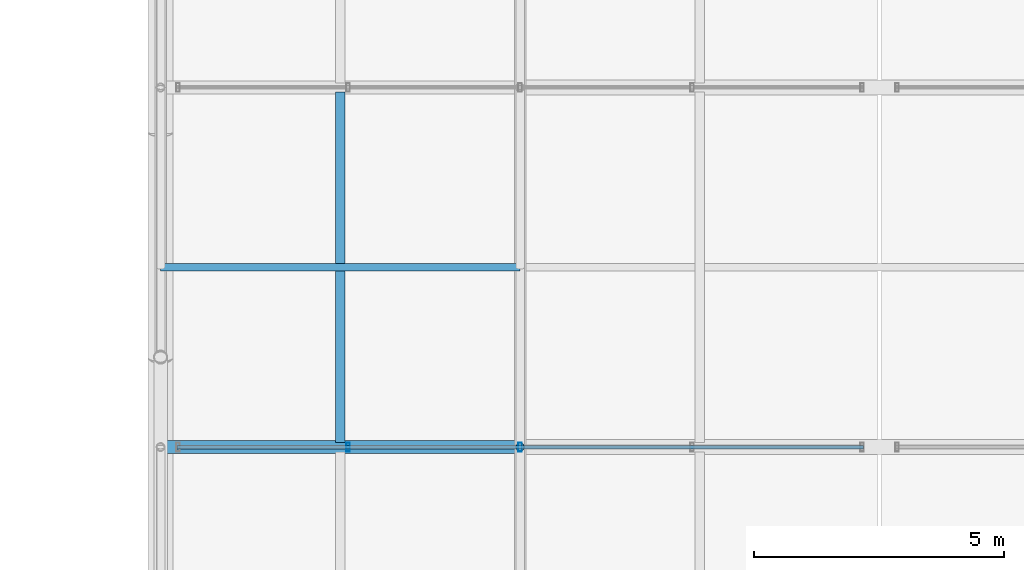
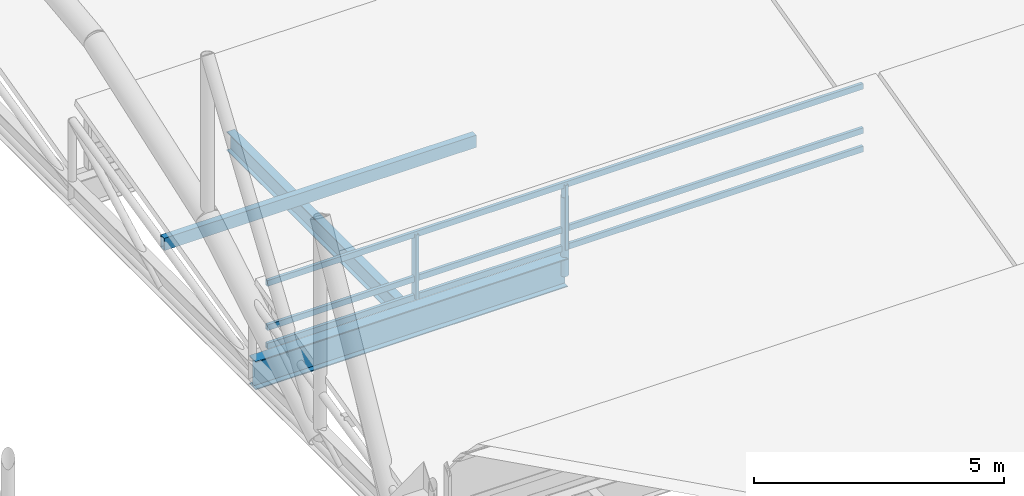
# One storey, part 64 of 144: 7 members, 2 beams, 1 element without a shape of its own.
"""IFC4 building model written with IfcOpenShell, lengths in metres."""

import ifcopenshell
import ifcopenshell.guid

model = None  # the IFC model being written
_history = None  # IfcOwnerHistory: only IFC2X3 demands one
_inside = {}  # id of a spatial element -> (the spatial element, [elements in it])
_under = {}  # id of a project, library or spatial element -> (it, [spatial elements below it])
_declared = {}  # id of a project -> (the project, [libraries it declares])
_typed = {}  # id of a type object -> (the type object, [elements of that type])
_made_of = {}  # id of a material, layer set ... -> (it, [elements and type objects made of it])


def new_model(schema):
    """Start an empty IFC model of exactly this schema.

    Asked for "IFC4X3", IfcOpenShell would pick the latest addendum, in which some entities
    have other attributes; the version numbers below select the first issue.
    IFC2X3 requires an IfcOwnerHistory on every rooted entity: one is made here for all.
    """
    global model, _history
    if schema == "IFC4X3":
        model = ifcopenshell.file(schema_version=(4, 3, 0, 0))
    else:
        model = ifcopenshell.file(schema=schema)
    _inside.clear()
    _under.clear()
    _declared.clear()
    _typed.clear()
    _made_of.clear()
    _history = None
    if model.schema == "IFC2X3":
        org = make("IfcOrganization", Name="unknown")
        user = make(
            "IfcPersonAndOrganization",
            ThePerson=make("IfcPerson", FamilyName="unknown"),
            TheOrganization=org,
        )
        app = make(
            "IfcApplication",
            ApplicationDeveloper=org,
            Version="unknown",
            ApplicationFullName="unknown",
            ApplicationIdentifier="unknown",
        )
        _history = make(
            "IfcOwnerHistory",
            OwningUser=user,
            OwningApplication=app,
            ChangeAction="ADDED",
            CreationDate=0,
        )
    return model


def make(cls, **values):
    """One entity of the class cls with the attributes given. An attribute that is None is left unset."""
    return model.create_entity(
        cls, **{name: value for name, value in values.items() if value is not None}
    )


def rooted(cls, **values):
    """An entity with a GlobalId (a new one), such as an element, a storey or a relation."""
    return make(cls, GlobalId=ifcopenshell.guid.new(), OwnerHistory=_history, **values)


def si_unit(unit_type, name, prefix=None):
    """IfcSIUnit, for example si_unit("LENGTHUNIT", "METRE", prefix="MILLI")."""
    return make("IfcSIUnit", UnitType=unit_type, Prefix=prefix, Name=name)


def assignment(units):
    """IfcUnitAssignment: the units of a project."""
    return None if units is None else make("IfcUnitAssignment", Units=units)


def point(xyz):
    """IfcCartesianPoint."""
    return None if xyz is None else make("IfcCartesianPoint", Coordinates=xyz)


def direction(xyz):
    """IfcDirection."""
    return None if xyz is None else make("IfcDirection", DirectionRatios=xyz)


def frame(location, z_axis=None, x_axis=None):
    """IfcAxis2Placement3D, a coordinate frame: its origin and axes. An axis left out is left unset."""
    return make(
        "IfcAxis2Placement3D",
        Location=point(location),
        Axis=direction(z_axis),
        RefDirection=direction(x_axis),
    )


def frame_2d(location, x_axis=None):
    """IfcAxis2Placement2D, a coordinate frame in the plane: its origin and x axis."""
    return make(
        "IfcAxis2Placement2D", Location=point(location), RefDirection=direction(x_axis)
    )


def origin():
    """The frame at (0, 0, 0) with its axes left unset."""
    return frame((0.0, 0.0, 0.0))


def origin_2d():
    """The frame at (0, 0) in the plane with its x axis left unset."""
    return frame_2d((0.0, 0.0))


def place(relative_to, where):
    """IfcLocalPlacement: puts the frame where relative to a parent placement (None: the world)."""
    return make(
        "IfcLocalPlacement", PlacementRelTo=relative_to, RelativePlacement=where
    )


def context(
    kind, dimensions, precision=None, world=None, true_north=None, identifier=None
):
    """IfcGeometricRepresentationContext, for example the 3D "Model" context."""
    return make(
        "IfcGeometricRepresentationContext",
        ContextIdentifier=identifier,
        ContextType=kind,
        CoordinateSpaceDimension=dimensions,
        Precision=precision,
        WorldCoordinateSystem=world,
        TrueNorth=true_north,
    )


def subcontext(parent, identifier, kind, view, scale=None):
    """IfcGeometricRepresentationSubContext, for example "Body" below "Model"."""
    return make(
        "IfcGeometricRepresentationSubContext",
        ContextIdentifier=identifier,
        ContextType=kind,
        ParentContext=parent,
        TargetScale=scale,
        TargetView=view,
    )


def project(units=None, contexts=None):
    """IfcProject with its units and contexts."""
    return rooted(
        "IfcProject",
        Name="project",
        RepresentationContexts=contexts,
        UnitsInContext=assignment(units),
    )


def spatial(cls, under=None, at=None, **own):
    """A site, building, storey or space (cls), placed at a placement, below another one or the project."""
    s = rooted(cls, ObjectPlacement=at, **own)
    if under is not None:
        _under.setdefault(under.id(), (under, []))[1].append(s)
    return s


def profile(cls, at=None, kind="AREA", **sizes):
    """A parametric profile (cls). Its sizes go by their IFC names, for example OverallWidth=200.0."""
    return make(cls, ProfileType=kind, Position=at, **sizes)


def hollow_rectangle(**sizes):
    """IfcRectangleHollowProfileDef."""
    return profile("IfcRectangleHollowProfileDef", **sizes)


def hollow_circle(**sizes):
    """IfcCircleHollowProfileDef."""
    return profile("IfcCircleHollowProfileDef", **sizes)


def i_section(**sizes):
    """IfcIShapeProfileDef."""
    return profile("IfcIShapeProfileDef", **sizes)


def extrude(swept, where, along, depth):
    """IfcExtrudedAreaSolid: the profile swept, set in the frame where, extruded along a direction by depth."""
    return make(
        "IfcExtrudedAreaSolid",
        SweptArea=swept,
        Position=where,
        ExtrudedDirection=direction(along),
        Depth=depth,
    )


def shape(context_of_items, identifier, shape_type, items):
    """IfcShapeRepresentation: the items that make up one representation, for example the "Body"."""
    return make(
        "IfcShapeRepresentation",
        ContextOfItems=context_of_items,
        RepresentationIdentifier=identifier,
        RepresentationType=shape_type,
        Items=items,
    )


def material(Name=None, Category=None):
    """IfcMaterial."""
    return make("IfcMaterial", Name=Name, Category=Category)


def material_profile(
    of_material, cross_section, Name=None, Category=None, Priority=None
):
    """IfcMaterialProfile: a cross section and its material."""
    return make(
        "IfcMaterialProfile",
        Name=Name,
        Material=of_material,
        Profile=cross_section,
        Priority=Priority,
        Category=Category,
    )


def profile_set(profiles, Name=None, composite=None):
    """IfcMaterialProfileSet."""
    return make(
        "IfcMaterialProfileSet",
        Name=Name,
        MaterialProfiles=profiles,
        CompositeProfile=composite,
    )


def made_of(thing, what):
    """Note that an element or type object is made of a material, layer set ...; save() writes the relation."""
    if what is not None:
        _made_of.setdefault(what.id(), (what, []))[1].append(thing)
    return thing


def type_object(cls, material=None, **own):
    """A type object (cls), such as IfcWallType, which elements share."""
    return made_of(rooted(cls, **own), material)


def element(
    cls,
    number,
    at=None,
    inside=None,
    cuts=None,
    type_object=None,
    material=None,
    context=None,
    identifier="Body",
    shape_type=None,
    held_by="IfcProductDefinitionShape",
    body=None,
    shapes=None,
    **own,
):
    """One element of the class cls, such as IfcWall. Its Tag is "e" and its number.

    at: its placement. inside: the storey or other place that contains it. cuts: it is an
    opening in that element (IfcRelVoidsElement). A single representation is given by context,
    identifier, shape_type and body (its items); several are given by shapes. held_by: the class
    of the entity that holds the representations. save() writes the other relations.
    """
    e = rooted(cls, Tag="e%d" % number, ObjectPlacement=at, **own)
    if body is not None:
        shapes = [shape(context, identifier, shape_type, body)]
    if shapes is not None:
        e.Representation = make(held_by, Representations=shapes)
    if inside is not None:
        _inside.setdefault(inside.id(), (inside, []))[1].append(e)
    if cuts is not None:
        rooted(
            "IfcRelVoidsElement", RelatingBuildingElement=cuts, RelatedOpeningElement=e
        )
    if type_object is not None:
        _typed.setdefault(type_object.id(), (type_object, []))[1].append(e)
    return made_of(e, material)


def aggregate(whole, parts):
    """IfcRelAggregates: a whole, such as a stair, and the parts it consists of."""
    return rooted("IfcRelAggregates", RelatingObject=whole, RelatedObjects=parts)


def save(model, path):
    """Write the relations noted so far, then the file.

    IfcRelAggregates (storeys below a building ...), IfcRelContainedInSpatialStructure (elements
    in a storey), IfcRelDefinesByType, IfcRelAssociatesMaterial and IfcRelDeclares: one each for
    every whole, place, type object, material and project.
    """
    for whole, parts in _under.values():
        aggregate(whole, parts)
    for where, things in _inside.values():
        rooted(
            "IfcRelContainedInSpatialStructure",
            RelatedElements=things,
            RelatingStructure=where,
        )
    for kind, things in _typed.values():
        rooted("IfcRelDefinesByType", RelatedObjects=things, RelatingType=kind)
    for what, things in _made_of.values():
        rooted("IfcRelAssociatesMaterial", RelatedObjects=things, RelatingMaterial=what)
    for by, libraries in _declared.values():
        rooted("IfcRelDeclares", RelatingContext=by, RelatedDefinitions=libraries)
    model.write(path)


model = new_model("IFC4")

# Units and contexts
model_context = context("Model", 3, precision=1e-05, world=origin(), true_north=direction((0.0, 1.0)))
body_context = subcontext(model_context, "Body", "Model", "MODEL_VIEW")
ifc_project = project(units=[si_unit("LENGTHUNIT", "METRE"), si_unit("AREAUNIT", "SQUARE_METRE"), si_unit("VOLUMEUNIT", "CUBIC_METRE"), si_unit("PLANEANGLEUNIT", "RADIAN"), si_unit("MASSUNIT", "GRAM", prefix="KILO")], contexts=[model_context])

# Site, building, storey
site_placement = place(None, origin())
site = spatial("IfcSite", under=ifc_project, at=site_placement, CompositionType="ELEMENT")
building_placement = place(site_placement, origin())
building = spatial("IfcBuilding", under=site, at=building_placement, Name="Yarey Park Central Fire Station", CompositionType="ELEMENT")
storey_placement = place(building_placement, frame((0.0, 0.0, 10.199951171875)))
storey = spatial("IfcBuildingStorey", under=building, at=storey_placement, Name="L03", CompositionType="ELEMENT", Elevation=10.199951171875)

# Curtain wall, members
ifc_material_1 = material(Name="Anodized Aluminium Frame", Category="aluminium")
curtain_wall_type = type_object("IfcCurtainWallType", Name="ENV_CW_SAW_18", PredefinedType="NOTDEFINED", material=ifc_material_1)
curtain_wall_placement = place(storey_placement, origin())
curtain_wall = element("IfcCurtainWall", 1, at=curtain_wall_placement, inside=storey, type_object=curtain_wall_type, Name="CW_L03_SAW_3_1", PredefinedType="NOTDEFINED")
ifc_material_profile_1 = material_profile(ifc_material_1, hollow_rectangle(XDim=0.070068359375, YDim=0.179931640625, WallThickness=0.00390625, at=origin_2d()), Name="ALU 180x70x4")
ifc_profile_set_1 = profile_set([ifc_material_profile_1], Name="Anodized Aluminium Frame")
member_type_1 = type_object("IfcMemberType", Name="ENV_CW_MULLION", PredefinedType="MULLION", material=ifc_profile_set_1)
member_1_placement = place(storey_placement, frame((144.0, 64.800048828125, 0.0), z_axis=(0.0, 0.0, 1.0), x_axis=(1.0, 0.0, 0.0)))
member_1 = element("IfcMember", 2, at=member_1_placement, type_object=member_type_1, Name="CW_L03_SAW_3_1_MUL3", PredefinedType="MULLION", context=body_context, shape_type="SweptSolid", body=[
    extrude(hollow_rectangle(XDim=0.070068359375, YDim=0.179931640625, WallThickness=0.00390625, at=origin_2d()), origin(), (0.0, 0.0, 1.0), 1.580078125),
])
member_2_placement = place(storey_placement, frame((140.554931640625, 64.800048828125, 0.0), z_axis=(0.0, 0.0, 1.0), x_axis=(1.0, 0.0, 0.0)))
member_2 = element("IfcMember", 3, at=member_2_placement, type_object=member_type_1, Name="CW_L03_SAW_3_1_MUL4", PredefinedType="MULLION", context=body_context, shape_type="SweptSolid", body=[
    extrude(hollow_rectangle(XDim=0.070068359375, YDim=0.179931640625, WallThickness=0.00390625, at=origin_2d()), origin(), (0.0, 0.0, 1.0), 1.580078125),
])
ifc_material_profile_2 = material_profile(ifc_material_1, hollow_rectangle(XDim=0.070068359375, YDim=0.139892578125, WallThickness=0.00390625, at=origin_2d()), Name="ALU 140x70x4")
ifc_profile_set_2 = profile_set([ifc_material_profile_2], Name="Anodized Aluminium Frame")
member_type_2 = type_object("IfcMemberType", Name="ENV_CW_TRANSOM", PredefinedType="USERDEFINED", material=ifc_profile_set_2)
member_3_placement = place(storey_placement, frame((150.875, 64.800048828125, 0.025146484375), z_axis=(-1.0, 0.0, 0.0), x_axis=(0.0, -1.0, 0.0)))
member_3 = element("IfcMember", 4, at=member_3_placement, type_object=member_type_2, Name="CW_L03_SAW_3_1_TRN1", ObjectType="TRANSOM", PredefinedType="USERDEFINED", context=body_context, shape_type="SweptSolid", body=[
    extrude(hollow_rectangle(XDim=0.070068359375, YDim=0.139892578125, WallThickness=0.00390625, at=origin_2d()), origin(), (0.0, 0.0, 1.0), 13.75),
])
member_4_placement = place(storey_placement, frame((150.875, 64.800048828125, 0.47412109375), z_axis=(-1.0, 0.0, 0.0), x_axis=(0.0, -1.0, 0.0)))
member_4 = element("IfcMember", 5, at=member_4_placement, type_object=member_type_2, Name="CW_L03_SAW_3_1_TRN2", ObjectType="TRANSOM", PredefinedType="USERDEFINED", context=body_context, shape_type="SweptSolid", body=[
    extrude(hollow_rectangle(XDim=0.070068359375, YDim=0.139892578125, WallThickness=0.00390625, at=origin_2d()), origin(), (0.0, 0.0, 1.0), 13.75),
])
member_5_placement = place(storey_placement, frame((150.875, 64.800048828125, 1.554931640625), z_axis=(-1.0, 0.0, 0.0), x_axis=(0.0, -1.0, 0.0)))
member_5 = element("IfcMember", 6, at=member_5_placement, type_object=member_type_2, Name="CW_L03_SAW_3_1_TRN3", ObjectType="TRANSOM", PredefinedType="USERDEFINED", context=body_context, shape_type="SweptSolid", body=[
    extrude(hollow_rectangle(XDim=0.070068359375, YDim=0.139892578125, WallThickness=0.00390625, at=origin_2d()), origin(), (0.0, 0.0, 1.0), 13.75),
])
aggregate(curtain_wall, [member_1, member_2, member_3, member_4, member_5])

# Beams
ifc_material_2 = material(Name="Steel ASTM A992 Gr. 50", Category="steel")
ifc_material_profile_3 = material_profile(ifc_material_2, i_section(OverallWidth=0.256103515625, OverallDepth=0.693115234375, WebThickness=0.014404296875, FlangeThickness=0.023681640625, at=origin_2d()), Name="W690x170")
ifc_profile_set_3 = profile_set([ifc_material_profile_3], Name="Steel ASTM A992 Gr. 50")
beam_type_1 = type_object("IfcBeamType", Name="STR_BM_W690", PredefinedType="BEAM", material=ifc_profile_set_3)
beam_1_placement = place(storey_placement, frame((136.800048828125, 64.800048828125, -0.5263671875), z_axis=(1.0, 0.0, 0.0), x_axis=(0.0, 1.0, 0.0)))
element("IfcBeam", 7, at=beam_1_placement, inside=storey, type_object=beam_type_1, Name="BMX L03 Y648 X1368", PredefinedType="BEAM", context=body_context, shape_type="SweptSolid", body=[
    extrude(i_section(OverallWidth=0.256103515625, OverallDepth=0.693115234375, WebThickness=0.014404296875, FlangeThickness=0.023681640625, at=origin_2d()), origin(), (0.0, 0.0, 1.0), 7.199951171875),
])
ifc_material_profile_4 = material_profile(ifc_material_2, i_section(OverallWidth=0.18994140625, OverallDepth=0.45703125, WebThickness=0.009033203125, FlangeThickness=0.014404296875, at=origin_2d()), Name="W460x74")
ifc_profile_set_4 = profile_set([ifc_material_profile_4], Name="Steel ASTM A992 Gr. 50")
beam_type_2 = type_object("IfcBeamType", Name="STR_JST_W460", PredefinedType="JOIST", material=ifc_profile_set_4)
beam_2_placement = place(storey_placement, frame((140.39990234375, 64.89501953125, -0.408447265625), z_axis=(0.0, 1.0, 0.0), x_axis=(-1.0, 0.0, 0.0)))
element("IfcBeam", 8, at=beam_2_placement, inside=storey, type_object=beam_type_2, Name="JST L03 X1404 Y648", PredefinedType="JOIST", context=body_context, shape_type="SweptSolid", body=[
    extrude(i_section(OverallWidth=0.18994140625, OverallDepth=0.45703125, WebThickness=0.009033203125, FlangeThickness=0.014404296875, at=origin_2d()), origin(), (0.0, 0.0, 1.0), 7.010009765625),
])

# Members
ifc_material_3 = material(Name="Steel ASTM A500 Gr. C", Category="steel")
ifc_material_profile_5 = material_profile(ifc_material_3, hollow_rectangle(XDim=0.14990234375, YDim=0.300048828125, WallThickness=0.010009765625, at=origin_2d()), Name="HSS 300x150x10")
ifc_profile_set_5 = profile_set([ifc_material_profile_5], Name="Steel ASTM A500 Gr. C")
member_type_3 = type_object("IfcMemberType", Name="STR_PUR_HSS300", PredefinedType="PURLIN", material=ifc_profile_set_5)
member_6_placement = place(storey_placement, frame((136.800048828125, 68.39990234375, 0.462646484375), z_axis=(1.0, 0.0, 0.0), x_axis=(0.0, 1.0, 0.0)))
element("IfcMember", 9, at=member_6_placement, inside=storey, type_object=member_type_3, Name="SAW_PUR_1_B4", PredefinedType="PURLIN", context=body_context, shape_type="SweptSolid", body=[
    extrude(hollow_rectangle(XDim=0.14990234375, YDim=0.300048828125, WallThickness=0.010009765625, at=origin_2d()), origin(), (0.0, 0.0, 1.0), 7.199951171875),
])
ifc_material_profile_6 = material_profile(ifc_material_3, hollow_circle(Radius=0.084228515625, WallThickness=0.008056640625, at=origin_2d()), Name="CHS 168.3x8")
ifc_profile_set_6 = profile_set([ifc_material_profile_6], Name="Steel ASTM A500 Gr. C")
member_type_4 = type_object("IfcMemberType", Name="STR_WEB_CHS168", PredefinedType="BRACE", material=ifc_profile_set_6)
member_7_placement = place(storey_placement, frame((144.0, 64.800048828125, -0.64990234375), z_axis=(0.0, 0.0, 1.0), x_axis=(1.0, 0.0, 0.0)))
element("IfcMember", 10, at=member_7_placement, inside=storey, type_object=member_type_4, Name="SAW_T2_B3_VT", PredefinedType="BRACE", context=body_context, shape_type="SweptSolid", body=[
    extrude(hollow_circle(Radius=0.084228515625, WallThickness=0.008056640625, at=origin_2d()), origin(), (0.0, 0.0, 1.0), 1.925048828125),
])

save(model, "model.ifc")
